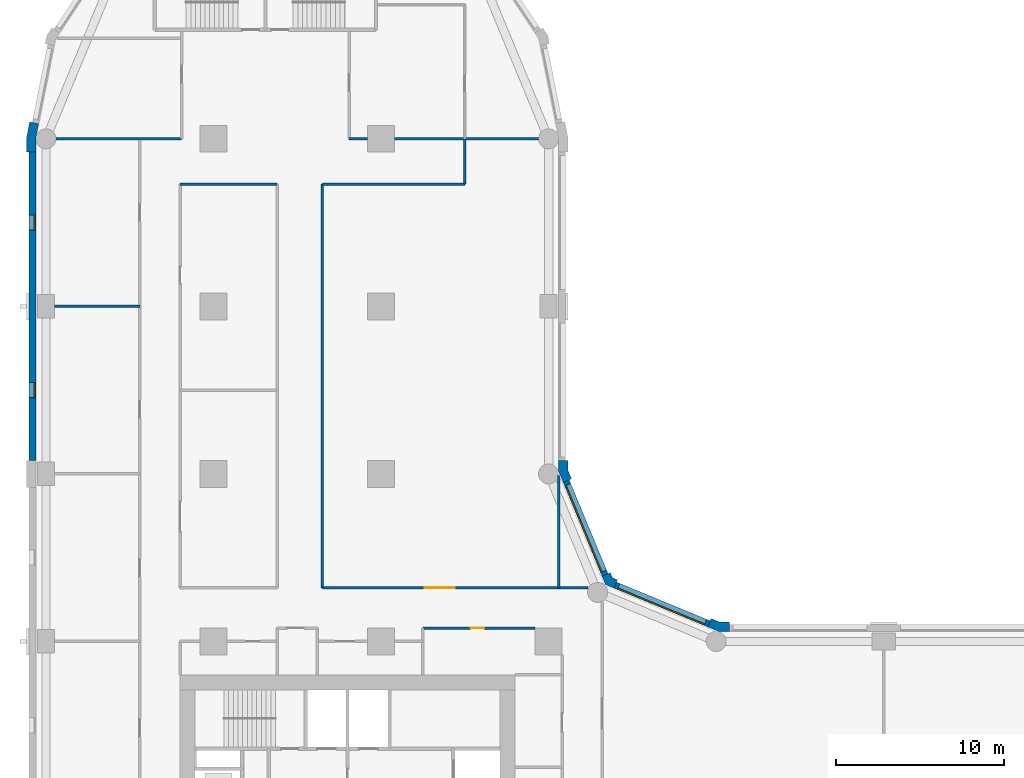
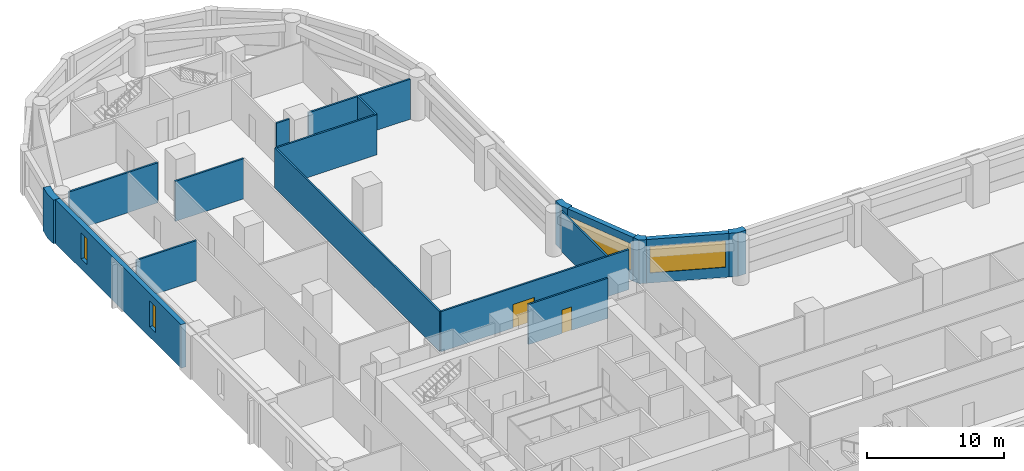
# One storey, part 6 of 11: 18 walls, 4 windows, 2 doors, 6 openings.
"""IFC4 building model written with IfcOpenShell, lengths in metres."""

import ifcopenshell
import ifcopenshell.guid

model = None  # the IFC model being written
_history = None  # IfcOwnerHistory: only IFC2X3 demands one
_inside = {}  # id of a spatial element -> (the spatial element, [elements in it])
_under = {}  # id of a project, library or spatial element -> (it, [spatial elements below it])
_declared = {}  # id of a project -> (the project, [libraries it declares])
_typed = {}  # id of a type object -> (the type object, [elements of that type])
_made_of = {}  # id of a material, layer set ... -> (it, [elements and type objects made of it])


def new_model(schema):
    """Start an empty IFC model of exactly this schema.

    Asked for "IFC4X3", IfcOpenShell would pick the latest addendum, in which some entities
    have other attributes; the version numbers below select the first issue.
    IFC2X3 requires an IfcOwnerHistory on every rooted entity: one is made here for all.
    """
    global model, _history
    if schema == "IFC4X3":
        model = ifcopenshell.file(schema_version=(4, 3, 0, 0))
    else:
        model = ifcopenshell.file(schema=schema)
    _inside.clear()
    _under.clear()
    _declared.clear()
    _typed.clear()
    _made_of.clear()
    _history = None
    if model.schema == "IFC2X3":
        org = make("IfcOrganization", Name="unknown")
        user = make(
            "IfcPersonAndOrganization",
            ThePerson=make("IfcPerson", FamilyName="unknown"),
            TheOrganization=org,
        )
        app = make(
            "IfcApplication",
            ApplicationDeveloper=org,
            Version="unknown",
            ApplicationFullName="unknown",
            ApplicationIdentifier="unknown",
        )
        _history = make(
            "IfcOwnerHistory",
            OwningUser=user,
            OwningApplication=app,
            ChangeAction="ADDED",
            CreationDate=0,
        )
    return model


def make(cls, **values):
    """One entity of the class cls with the attributes given. An attribute that is None is left unset."""
    return model.create_entity(
        cls, **{name: value for name, value in values.items() if value is not None}
    )


def rooted(cls, **values):
    """An entity with a GlobalId (a new one), such as an element, a storey or a relation."""
    return make(cls, GlobalId=ifcopenshell.guid.new(), OwnerHistory=_history, **values)


def si_unit(unit_type, name, prefix=None):
    """IfcSIUnit, for example si_unit("LENGTHUNIT", "METRE", prefix="MILLI")."""
    return make("IfcSIUnit", UnitType=unit_type, Prefix=prefix, Name=name)


def assignment(units):
    """IfcUnitAssignment: the units of a project."""
    return None if units is None else make("IfcUnitAssignment", Units=units)


def point(xyz):
    """IfcCartesianPoint."""
    return None if xyz is None else make("IfcCartesianPoint", Coordinates=xyz)


def direction(xyz):
    """IfcDirection."""
    return None if xyz is None else make("IfcDirection", DirectionRatios=xyz)


def frame(location, z_axis=None, x_axis=None):
    """IfcAxis2Placement3D, a coordinate frame: its origin and axes. An axis left out is left unset."""
    return make(
        "IfcAxis2Placement3D",
        Location=point(location),
        Axis=direction(z_axis),
        RefDirection=direction(x_axis),
    )


def frame_2d(location, x_axis=None):
    """IfcAxis2Placement2D, a coordinate frame in the plane: its origin and x axis."""
    return make(
        "IfcAxis2Placement2D", Location=point(location), RefDirection=direction(x_axis)
    )


def origin():
    """The frame at (0, 0, 0) with its axes left unset."""
    return frame((0.0, 0.0, 0.0))


def place(relative_to, where):
    """IfcLocalPlacement: puts the frame where relative to a parent placement (None: the world)."""
    return make(
        "IfcLocalPlacement", PlacementRelTo=relative_to, RelativePlacement=where
    )


def context(
    kind, dimensions, precision=None, world=None, true_north=None, identifier=None
):
    """IfcGeometricRepresentationContext, for example the 3D "Model" context."""
    return make(
        "IfcGeometricRepresentationContext",
        ContextIdentifier=identifier,
        ContextType=kind,
        CoordinateSpaceDimension=dimensions,
        Precision=precision,
        WorldCoordinateSystem=world,
        TrueNorth=true_north,
    )


def subcontext(parent, identifier, kind, view, scale=None):
    """IfcGeometricRepresentationSubContext, for example "Body" below "Model"."""
    return make(
        "IfcGeometricRepresentationSubContext",
        ContextIdentifier=identifier,
        ContextType=kind,
        ParentContext=parent,
        TargetScale=scale,
        TargetView=view,
    )


def project(units=None, contexts=None):
    """IfcProject with its units and contexts."""
    return rooted(
        "IfcProject",
        Name="project",
        RepresentationContexts=contexts,
        UnitsInContext=assignment(units),
    )


def spatial(cls, under=None, at=None, **own):
    """A site, building, storey or space (cls), placed at a placement, below another one or the project."""
    s = rooted(cls, ObjectPlacement=at, **own)
    if under is not None:
        _under.setdefault(under.id(), (under, []))[1].append(s)
    return s


def polyline(points):
    """IfcPolyline through the points."""
    return make("IfcPolyline", Points=[point(p) for p in points])


def profile(cls, at=None, kind="AREA", **sizes):
    """A parametric profile (cls). Its sizes go by their IFC names, for example OverallWidth=200.0."""
    return make(cls, ProfileType=kind, Position=at, **sizes)


def rectangle(**sizes):
    """IfcRectangleProfileDef."""
    return profile("IfcRectangleProfileDef", **sizes)


def outline(outer, holes=None, kind="AREA"):
    """IfcArbitraryClosedProfileDef: a profile drawn as a closed curve; with holes, ...WithVoids."""
    if holes is None:
        return make("IfcArbitraryClosedProfileDef", ProfileType=kind, OuterCurve=outer)
    return make(
        "IfcArbitraryProfileDefWithVoids",
        ProfileType=kind,
        OuterCurve=outer,
        InnerCurves=holes,
    )


def extrude(swept, where, along, depth):
    """IfcExtrudedAreaSolid: the profile swept, set in the frame where, extruded along a direction by depth."""
    return make(
        "IfcExtrudedAreaSolid",
        SweptArea=swept,
        Position=where,
        ExtrudedDirection=direction(along),
        Depth=depth,
    )


def shape(context_of_items, identifier, shape_type, items):
    """IfcShapeRepresentation: the items that make up one representation, for example the "Body"."""
    return make(
        "IfcShapeRepresentation",
        ContextOfItems=context_of_items,
        RepresentationIdentifier=identifier,
        RepresentationType=shape_type,
        Items=items,
    )


def material(Name=None, Category=None):
    """IfcMaterial."""
    return make("IfcMaterial", Name=Name, Category=Category)


def layer(
    of_material, thickness, ventilated=None, Name=None, Category=None, Priority=None
):
    """IfcMaterialLayer: one layer of a wall or slab, of a material (None: an air gap)."""
    return make(
        "IfcMaterialLayer",
        Material=of_material,
        LayerThickness=thickness,
        IsVentilated=ventilated,
        Name=Name,
        Category=Category,
        Priority=Priority,
    )


def layer_set(layers, Name=None):
    """IfcMaterialLayerSet."""
    return make("IfcMaterialLayerSet", MaterialLayers=layers, LayerSetName=Name)


def made_of(thing, what):
    """Note that an element or type object is made of a material, layer set ...; save() writes the relation."""
    if what is not None:
        _made_of.setdefault(what.id(), (what, []))[1].append(thing)
    return thing


def type_object(cls, material=None, **own):
    """A type object (cls), such as IfcWallType, which elements share."""
    return made_of(rooted(cls, **own), material)


def element(
    cls,
    number,
    at=None,
    inside=None,
    cuts=None,
    type_object=None,
    material=None,
    context=None,
    identifier="Body",
    shape_type=None,
    held_by="IfcProductDefinitionShape",
    body=None,
    shapes=None,
    **own,
):
    """One element of the class cls, such as IfcWall. Its Tag is "e" and its number.

    at: its placement. inside: the storey or other place that contains it. cuts: it is an
    opening in that element (IfcRelVoidsElement). A single representation is given by context,
    identifier, shape_type and body (its items); several are given by shapes. held_by: the class
    of the entity that holds the representations. save() writes the other relations.
    """
    e = rooted(cls, Tag="e%d" % number, ObjectPlacement=at, **own)
    if body is not None:
        shapes = [shape(context, identifier, shape_type, body)]
    if shapes is not None:
        e.Representation = make(held_by, Representations=shapes)
    if inside is not None:
        _inside.setdefault(inside.id(), (inside, []))[1].append(e)
    if cuts is not None:
        rooted(
            "IfcRelVoidsElement", RelatingBuildingElement=cuts, RelatedOpeningElement=e
        )
    if type_object is not None:
        _typed.setdefault(type_object.id(), (type_object, []))[1].append(e)
    return made_of(e, material)


def fill(opening, filler):
    """IfcRelFillsElement: the door or window that sits in an opening."""
    return rooted(
        "IfcRelFillsElement",
        RelatingOpeningElement=opening,
        RelatedBuildingElement=filler,
    )


def aggregate(whole, parts):
    """IfcRelAggregates: a whole, such as a stair, and the parts it consists of."""
    return rooted("IfcRelAggregates", RelatingObject=whole, RelatedObjects=parts)


def save(model, path):
    """Write the relations noted so far, then the file.

    IfcRelAggregates (storeys below a building ...), IfcRelContainedInSpatialStructure (elements
    in a storey), IfcRelDefinesByType, IfcRelAssociatesMaterial and IfcRelDeclares: one each for
    every whole, place, type object, material and project.
    """
    for whole, parts in _under.values():
        aggregate(whole, parts)
    for where, things in _inside.values():
        rooted(
            "IfcRelContainedInSpatialStructure",
            RelatedElements=things,
            RelatingStructure=where,
        )
    for kind, things in _typed.values():
        rooted("IfcRelDefinesByType", RelatedObjects=things, RelatingType=kind)
    for what, things in _made_of.values():
        rooted("IfcRelAssociatesMaterial", RelatedObjects=things, RelatingMaterial=what)
    for by, libraries in _declared.values():
        rooted("IfcRelDeclares", RelatingContext=by, RelatedDefinitions=libraries)
    model.write(path)


model = new_model("IFC4")

# Units and contexts
model_context = context("Model", 3, precision=1e-05, world=origin(), true_north=direction((0.0, 1.0)))
body_context = subcontext(model_context, "Body", "Model", "MODEL_VIEW")
ifc_project = project(units=[si_unit("LENGTHUNIT", "METRE"), si_unit("AREAUNIT", "SQUARE_METRE"), si_unit("VOLUMEUNIT", "CUBIC_METRE"), si_unit("PLANEANGLEUNIT", "RADIAN"), si_unit("MASSUNIT", "GRAM", prefix="KILO")], contexts=[model_context])

# Site, building, storey
site_placement = place(None, origin())
site = spatial("IfcSite", under=ifc_project, at=site_placement, CompositionType="ELEMENT")
building_placement = place(site_placement, origin())
building = spatial("IfcBuilding", under=site, at=building_placement, Name="Qaws Garden Tower", CompositionType="ELEMENT")
storey_placement = place(building_placement, frame((0.0, 0.0, 27.60009765625)))
storey = spatial("IfcBuildingStorey", under=building, at=storey_placement, Name="L06", CompositionType="ELEMENT", Elevation=27.60009765625)

# Wall, opening, window
ifc_material_1 = material(Name="Clay facing brick masonry", Category="masonry")
ifc_layer_1 = layer(ifc_material_1, 0.39990234375)
ifc_layer_set_1 = layer_set([ifc_layer_1], Name="Clay facing brick masonry")
wall_type_1 = type_object("IfcWallType", Name="Brick infill wall 400", PredefinedType="SOLIDWALL", material=ifc_layer_set_1)
wall_1_placement = place(storey_placement, frame((39.56689453125, 31.04541015625, 0.0), z_axis=(0.0, 0.0, 1.0), x_axis=(-0.923891000409, 0.382655745237, 0.0)))
wall_1 = element("IfcWall", 1, at=wall_1_placement, inside=storey, type_object=wall_type_1, Name="E-L06-infill-11", PredefinedType="SOLIDWALL", context=body_context, shape_type="SweptSolid", body=[
    extrude(rectangle(XDim=6.053466796875, YDim=0.39990234375, at=frame_2d((3.02685546875, 0.0))), origin(), (0.0, 0.0, 1.0), 3.89990234375),
])
opening_1_placement = place(wall_1_placement, frame((0.226806640625, 0.0, 0.89990234375)))
opening_1 = element("IfcOpeningElement", 2, at=opening_1_placement, cuts=wall_1, Name="Opening W04", PredefinedType="OPENING", context=body_context, shape_type="SweptSolid", body=[
    extrude(rectangle(XDim=5.60009765625, YDim=2.35009765625, at=frame_2d((2.800048828125, 1.175048828125))), frame((0.0, 0.2099609375, 0.0), z_axis=(0.0, -1.0, 0.0), x_axis=(1.0, 0.0, 0.0)), (0.0, 0.0, 1.0), 0.419921875),
])
ifc_material_2 = material(Name="Aluminium framed window, clear glazing", Category="aluminium")
window_type_1 = type_object("IfcWindowType", Name="Ribbon window 5600 x 2350", PartitioningType="DOUBLE_PANEL_VERTICAL", PredefinedType="WINDOW", material=ifc_material_2)
window_1_placement = place(opening_1_placement, origin())
window_1 = element("IfcWindow", 3, at=window_1_placement, inside=storey, type_object=window_type_1, Name="E-L06-window-11-0", OverallHeight=2.35009765625, OverallWidth=5.60009765625, PartitioningType="SINGLE_PANEL", PredefinedType="WINDOW", context=body_context, shape_type="SweptSolid", body=[
    extrude(rectangle(XDim=5.60009765625, YDim=2.35009765625, at=frame_2d((2.800048828125, 1.175048828125))), frame((0.0, 0.159912109375, 0.0), z_axis=(0.0, -1.0, 0.0), x_axis=(1.0, 0.0, 0.0)), (0.0, 0.0, 1.0), 0.06005859375),
])
fill(opening_1, window_1)

wall_2_placement = place(storey_placement, frame((33.36181640625, 33.97412109375, 0.0), z_axis=(0.0, 0.0, 1.0), x_axis=(-0.382655745237, 0.923891000409, 0.0)))
wall_2 = element("IfcWall", 4, at=wall_2_placement, inside=storey, type_object=wall_type_1, Name="E-L06-infill-12", PredefinedType="SOLIDWALL", context=body_context, shape_type="SweptSolid", body=[
    extrude(rectangle(XDim=6.053466796875, YDim=0.39990234375, at=frame_2d((3.02685546875, 0.0))), origin(), (0.0, 0.0, 1.0), 3.89990234375),
])
opening_2_placement = place(wall_2_placement, frame((0.226806640625, 0.0, 0.89990234375)))
opening_2 = element("IfcOpeningElement", 5, at=opening_2_placement, cuts=wall_2, Name="Opening W04", PredefinedType="OPENING", context=body_context, shape_type="SweptSolid", body=[
    extrude(rectangle(XDim=5.60009765625, YDim=2.35009765625, at=frame_2d((2.800048828125, 1.175048828125))), frame((0.0, 0.2099609375, 0.0), z_axis=(0.0, -1.0, 0.0), x_axis=(1.0, 0.0, 0.0)), (0.0, 0.0, 1.0), 0.419921875),
])
window_2_placement = place(opening_2_placement, origin())
window_2 = element("IfcWindow", 6, at=window_2_placement, inside=storey, type_object=window_type_1, Name="E-L06-window-12-0", OverallHeight=2.35009765625, OverallWidth=5.60009765625, PartitioningType="SINGLE_PANEL", PredefinedType="WINDOW", context=body_context, shape_type="SweptSolid", body=[
    extrude(rectangle(XDim=5.60009765625, YDim=2.35009765625, at=frame_2d((2.800048828125, 1.175048828125))), frame((0.0, 0.159912109375, 0.0), z_axis=(0.0, -1.0, 0.0), x_axis=(1.0, 0.0, 0.0)), (0.0, 0.0, 1.0), 0.06005859375),
])
fill(opening_2, window_2)

# Wall, openings, windows
wall_3_placement = place(storey_placement, frame((-0.800048828125, 59.199951171875, 0.0), z_axis=(0.0, 0.0, 1.0), x_axis=(0.0, -1.0, 0.0)))
wall_3 = element("IfcWall", 7, at=wall_3_placement, inside=storey, type_object=wall_type_1, Name="E-L06-infill-23", PredefinedType="SOLIDWALL", context=body_context, shape_type="SweptSolid", body=[
    extrude(rectangle(XDim=18.39990234375, YDim=0.39990234375, at=frame_2d((9.199951171875, 0.0))), origin(), (0.0, 0.0, 1.0), 3.89990234375),
])
opening_3_placement = place(wall_3_placement, frame((3.75, 0.0, 0.89990234375)))
opening_3 = element("IfcOpeningElement", 8, at=opening_3_placement, cuts=wall_3, Name="Opening W09", PredefinedType="OPENING", context=body_context, shape_type="SweptSolid", body=[
    extrude(rectangle(XDim=0.89990234375, YDim=2.35009765625, at=frame_2d((0.449951171875, 1.175048828125))), frame((0.0, 0.2099609375, 0.0), z_axis=(0.0, -1.0, 0.0), x_axis=(1.0, 0.0, 0.0)), (0.0, 0.0, 1.0), 0.419921875),
])
opening_4_placement = place(wall_3_placement, frame((13.75, 0.0, 0.89990234375)))
opening_4 = element("IfcOpeningElement", 9, at=opening_4_placement, cuts=wall_3, Name="Opening W09", PredefinedType="OPENING", context=body_context, shape_type="SweptSolid", body=[
    extrude(rectangle(XDim=0.89990234375, YDim=2.35009765625, at=frame_2d((0.449951171875, 1.175048828125))), frame((0.0, 0.2099609375, 0.0), z_axis=(0.0, -1.0, 0.0), x_axis=(1.0, 0.0, 0.0)), (0.0, 0.0, 1.0), 0.419921875),
])
ifc_material_3 = material(Name="Aluminium framed window, clear glazing", Category="aluminium")
window_type_2 = type_object("IfcWindowType", Name="Slit window 900 x 2350", PartitioningType="SINGLE_PANEL", PredefinedType="WINDOW", material=ifc_material_3)
window_3_placement = place(opening_3_placement, origin())
window_3 = element("IfcWindow", 10, at=window_3_placement, inside=storey, type_object=window_type_2, Name="E-L06-window-23-0", OverallHeight=2.35009765625, OverallWidth=0.89990234375, PartitioningType="SINGLE_PANEL", PredefinedType="WINDOW", context=body_context, shape_type="SweptSolid", body=[
    extrude(rectangle(XDim=0.89990234375, YDim=2.35009765625, at=frame_2d((0.449951171875, 1.175048828125))), frame((0.0, 0.159912109375, 0.0), z_axis=(0.0, -1.0, 0.0), x_axis=(1.0, 0.0, 0.0)), (0.0, 0.0, 1.0), 0.06005859375),
])
fill(opening_3, window_3)
window_4_placement = place(opening_4_placement, origin())
window_4 = element("IfcWindow", 11, at=window_4_placement, inside=storey, type_object=window_type_2, Name="E-L06-window-24-0", OverallHeight=2.35009765625, OverallWidth=0.89990234375, PartitioningType="SINGLE_PANEL", PredefinedType="WINDOW", context=body_context, shape_type="SweptSolid", body=[
    extrude(rectangle(XDim=0.89990234375, YDim=2.35009765625, at=frame_2d((0.449951171875, 1.175048828125))), frame((0.0, 0.159912109375, 0.0), z_axis=(0.0, -1.0, 0.0), x_axis=(1.0, 0.0, 0.0)), (0.0, 0.0, 1.0), 0.06005859375),
])
fill(opening_4, window_4)

# Walls
ifc_material_4 = material(Name="Clay facing brick masonry", Category="masonry")
ifc_layer_2 = layer(ifc_material_4, 0.550048828125)
ifc_layer_set_2 = layer_set([ifc_layer_2], Name="Clay facing brick masonry")
wall_type_2 = type_object("IfcWallType", Name="Brick pier 550 x 1600", PredefinedType="SOLIDWALL", material=ifc_layer_set_2)
placement = place(storey_placement, origin())
element("IfcWall", 12, at=placement, inside=storey, type_object=wall_type_2, Name="E-L06-pier-11", PredefinedType="SOLIDWALL", context=body_context, shape_type="SweptSolid", body=[
    extrude(outline(polyline([(40.800048828125, 31.0), (40.800048828125, 31.14990234375), (40.228759765625, 31.14990234375), (39.700927734375, 31.36865234375), (39.6435546875, 31.22998046875), (39.490478515625, 30.860595703125), (40.119384765625, 30.60009765625), (40.800048828125, 30.60009765625), (40.800048828125, 31.0)])), origin(), (0.0, 0.0, 1.0), 3.89990234375),
])
element("IfcWall", 13, at=placement, inside=storey, type_object=wall_type_2, Name="E-L06-pier-12", PredefinedType="SOLIDWALL", context=body_context, shape_type="SweptSolid", body=[
    extrude(outline(polyline([(34.05078125, 33.546630859375), (34.108154296875, 33.685302734375), (33.80908203125, 33.80908203125), (33.685302734375, 34.108154296875), (33.546630859375, 34.05078125), (33.177001953125, 33.897705078125), (33.38818359375, 33.38818359375), (33.897705078125, 33.177001953125), (34.05078125, 33.546630859375)])), origin(), (0.0, 0.0, 1.0), 3.89990234375),
])
element("IfcWall", 14, at=placement, inside=storey, type_object=wall_type_2, Name="E-L06-pier-13", PredefinedType="SOLIDWALL", context=body_context, shape_type="SweptSolid", body=[
    extrude(outline(polyline([(31.22998046875, 39.6435546875), (31.36865234375, 39.700927734375), (31.14990234375, 40.228759765625), (31.14990234375, 40.800048828125), (31.0, 40.800048828125), (30.60009765625, 40.800048828125), (30.60009765625, 40.119384765625), (30.860595703125, 39.490478515625), (31.22998046875, 39.6435546875)])), origin(), (0.0, 0.0, 1.0), 3.89990234375),
])
element("IfcWall", 15, at=placement, inside=storey, type_object=wall_type_2, Name="E-L06-pier-23", PredefinedType="SOLIDWALL", context=body_context, shape_type="SweptSolid", body=[
    extrude(outline(polyline([(-0.82470703125, 60.979736328125), (-0.971923828125, 61.009033203125), (-1.14990234375, 60.11328125), (-1.14990234375, 59.199951171875), (-1.0, 59.199951171875), (-0.60009765625, 59.199951171875), (-0.60009765625, 60.05908203125), (-0.432373046875, 60.901611328125), (-0.82470703125, 60.979736328125)])), origin(), (0.0, 0.0, 1.0), 3.89990234375),
])
ifc_material_5 = material(Name="Gypsum board partition")
ifc_layer_3 = layer(ifc_material_5, 0.14990234375)
ifc_layer_set_3 = layer_set([ifc_layer_3], Name="Gypsum board partition")
wall_type_3 = type_object("IfcWallType", Name="PARTITION 150 EI 60", PredefinedType="PARTITIONING", material=ifc_layer_set_3)
wall_8_placement = place(storey_placement, frame((16.5, 33.199951171875, 0.0), z_axis=(0.0, 0.0, 1.0), x_axis=(0.0, 1.0, 0.0)))
element("IfcWall", 16, at=wall_8_placement, inside=storey, type_object=wall_type_3, Name="O-L06-wall-013", PredefinedType="PARTITIONING", context=body_context, shape_type="SweptSolid", body=[
    extrude(rectangle(XDim=24.10009765625, YDim=0.14990234375, at=frame_2d((12.050048828125, 0.0))), origin(), (0.0, 0.0, 1.0), 3.579833984375),
])
wall_9_placement = place(storey_placement, frame((25.0, 57.300048828125, 0.0), z_axis=(0.0, 0.0, 1.0), x_axis=(0.0, 1.0, 0.0)))
element("IfcWall", 17, at=wall_9_placement, inside=storey, type_object=wall_type_3, Name="O-L06-wall-017", PredefinedType="PARTITIONING", context=body_context, shape_type="SweptSolid", body=[
    extrude(rectangle(XDim=2.699951171875, YDim=0.14990234375, at=frame_2d((1.35009765625, 0.0))), origin(), (0.0, 0.0, 1.0), 3.579833984375),
])
wall_10_placement = place(storey_placement, frame((30.60009765625, 33.199951171875, 0.0), z_axis=(0.0, 0.0, 1.0), x_axis=(0.0, 1.0, 0.0)))
element("IfcWall", 18, at=wall_10_placement, inside=storey, type_object=wall_type_3, Name="O-L06-wall-021", PredefinedType="PARTITIONING", context=body_context, shape_type="SweptSolid", body=[
    extrude(rectangle(XDim=6.698974609375, YDim=0.14990234375, at=frame_2d((3.349609375, 0.0))), origin(), (0.0, 0.0, 1.0), 3.579833984375),
])

# Wall, opening, door
wall_11_placement = place(storey_placement, frame((22.5, 30.800048828125, 0.0), z_axis=(0.0, 0.0, 1.0), x_axis=(1.0, 0.0, 0.0)))
wall_11 = element("IfcWall", 19, at=wall_11_placement, inside=storey, type_object=wall_type_3, Name="O-L06-wall-057", PredefinedType="PARTITIONING", context=body_context, shape_type="SweptSolid", body=[
    extrude(rectangle(XDim=6.699951171875, YDim=0.14990234375, at=frame_2d((3.35009765625, 0.0))), origin(), (0.0, 0.0, 1.0), 3.579833984375),
])
opening_5_placement = place(wall_11_placement, frame((2.85009765625, 0.0, 0.0)))
opening_5 = element("IfcOpeningElement", 20, at=opening_5_placement, cuts=wall_11, Name="Opening A216", PredefinedType="OPENING", context=body_context, shape_type="SweptSolid", body=[
    extrude(rectangle(XDim=0.800048828125, YDim=2.10009765625, at=frame_2d((0.39990234375, 1.050048828125))), frame((0.0, 0.0849609375, 0.0), z_axis=(0.0, -1.0, 0.0), x_axis=(1.0, 0.0, 0.0)), (0.0, 0.0, 1.0), 0.169921875),
])
ifc_material_6 = material(Name="Timber door leaf", Category="wood")
door_type_1 = type_object("IfcDoorType", Name="STORE DOOR 800 X 2100", OperationType="SINGLE_SWING_LEFT", PredefinedType="DOOR", material=ifc_material_6)
door_1_placement = place(opening_5_placement, frame((0.800048828125, 0.0, 0.0), z_axis=(0.0, 0.0, 1.0), x_axis=(-1.0, 0.0, 0.0)))
door_1 = element("IfcDoor", 21, at=door_1_placement, inside=storey, type_object=door_type_1, Name="O-L06-door-016", OperationType="SINGLE_SWING_LEFT", OverallHeight=2.10009765625, OverallWidth=0.800048828125, PredefinedType="DOOR", context=body_context, shape_type="SweptSolid", body=[
    extrude(rectangle(XDim=0.800048828125, YDim=2.10009765625, at=frame_2d((0.39990234375, 1.050048828125))), frame((0.0, 0.02490234375, 0.0), z_axis=(0.0, -1.0, 0.0), x_axis=(1.0, 0.0, 0.0)), (0.0, 0.0, 1.0), 0.050048828125),
])
fill(opening_5, door_1)

wall_12_placement = place(storey_placement, frame((16.5, 33.199951171875, 0.0), z_axis=(0.0, 0.0, 1.0), x_axis=(1.0, 0.0, 0.0)))
wall_12 = element("IfcWall", 22, at=wall_12_placement, inside=storey, type_object=wall_type_3, Name="O-L06-wall-059", PredefinedType="PARTITIONING", context=body_context, shape_type="SweptSolid", body=[
    extrude(rectangle(XDim=15.862060546875, YDim=0.14990234375, at=frame_2d((7.93115234375, 0.0))), origin(), (0.0, 0.0, 1.0), 3.579833984375),
])
opening_6_placement = place(wall_12_placement, frame((6.10009765625, 0.0, 0.0)))
opening_6 = element("IfcOpeningElement", 23, at=opening_6_placement, cuts=wall_12, Name="Opening A219", PredefinedType="OPENING", context=body_context, shape_type="SweptSolid", body=[
    extrude(rectangle(XDim=1.800048828125, YDim=2.10009765625, at=frame_2d((0.89990234375, 1.050048828125))), frame((0.0, 0.0849609375, 0.0), z_axis=(0.0, -1.0, 0.0), x_axis=(1.0, 0.0, 0.0)), (0.0, 0.0, 1.0), 0.169921875),
])
ifc_material_7 = material(Name="Timber door leaf", Category="wood")
door_type_2 = type_object("IfcDoorType", Name="DOUBLE DOOR 1800 X 2100", OperationType="DOUBLE_DOOR_SINGLE_SWING", PredefinedType="DOOR", material=ifc_material_7)
door_2_placement = place(opening_6_placement, origin())
door_2 = element("IfcDoor", 24, at=door_2_placement, inside=storey, type_object=door_type_2, Name="O-L06-door-019", OperationType="DOUBLE_DOOR_SINGLE_SWING", OverallHeight=2.10009765625, OverallWidth=1.800048828125, PredefinedType="DOOR", context=body_context, shape_type="SweptSolid", body=[
    extrude(rectangle(XDim=1.800048828125, YDim=2.10009765625, at=frame_2d((0.89990234375, 1.050048828125))), frame((0.0, 0.02490234375, 0.0), z_axis=(0.0, -1.0, 0.0), x_axis=(1.0, 0.0, 0.0)), (0.0, 0.0, 1.0), 0.050048828125),
])
fill(opening_6, door_2)

# Walls
wall_13_placement = place(storey_placement, frame((0.5, 50.0, 0.0), z_axis=(0.0, 0.0, 1.0), x_axis=(1.0, 0.0, 0.0)))
element("IfcWall", 25, at=wall_13_placement, inside=storey, type_object=wall_type_3, Name="O-L06-wall-062", PredefinedType="PARTITIONING", context=body_context, shape_type="SweptSolid", body=[
    extrude(rectangle(XDim=5.10009765625, YDim=0.14990234375, at=frame_2d((2.550048828125, 0.0))), origin(), (0.0, 0.0, 1.0), 3.579833984375),
])
wall_14_placement = place(storey_placement, frame((8.0, 57.300048828125, 0.0), z_axis=(0.0, 0.0, 1.0), x_axis=(1.0, 0.0, 0.0)))
element("IfcWall", 26, at=wall_14_placement, inside=storey, type_object=wall_type_3, Name="O-L06-wall-063", PredefinedType="PARTITIONING", context=body_context, shape_type="SweptSolid", body=[
    extrude(rectangle(XDim=5.800048828125, YDim=0.14990234375, at=frame_2d((2.89990234375, 0.0))), origin(), (0.0, 0.0, 1.0), 3.579833984375),
])
wall_15_placement = place(storey_placement, frame((16.5, 57.300048828125, 0.0), z_axis=(0.0, 0.0, 1.0), x_axis=(1.0, 0.0, 0.0)))
element("IfcWall", 27, at=wall_15_placement, inside=storey, type_object=wall_type_3, Name="O-L06-wall-064", PredefinedType="PARTITIONING", context=body_context, shape_type="SweptSolid", body=[
    extrude(rectangle(XDim=8.5, YDim=0.14990234375, at=frame_2d((4.25, 0.0))), origin(), (0.0, 0.0, 1.0), 3.579833984375),
])
wall_16_placement = place(storey_placement, frame((0.60009765625, 60.0, 0.0), z_axis=(0.0, 0.0, 1.0), x_axis=(1.0, 0.0, 0.0)))
element("IfcWall", 28, at=wall_16_placement, inside=storey, type_object=wall_type_3, Name="O-L06-wall-065", PredefinedType="PARTITIONING", context=body_context, shape_type="SweptSolid", body=[
    extrude(rectangle(XDim=7.5, YDim=0.14990234375, at=frame_2d((3.75, 0.0))), origin(), (0.0, 0.0, 1.0), 3.579833984375),
])
wall_17_placement = place(storey_placement, frame((18.10009765625, 60.0, 0.0), z_axis=(0.0, 0.0, 1.0), x_axis=(1.0, 0.0, 0.0)))
element("IfcWall", 29, at=wall_17_placement, inside=storey, type_object=wall_type_3, Name="O-L06-wall-066", PredefinedType="PARTITIONING", context=body_context, shape_type="SweptSolid", body=[
    extrude(rectangle(XDim=1.099853515625, YDim=0.14990234375, at=frame_2d((0.5498046875, 0.0))), origin(), (0.0, 0.0, 1.0), 3.579833984375),
])
wall_18_placement = place(storey_placement, frame((20.800048828125, 60.0, 0.0), z_axis=(0.0, 0.0, 1.0), x_axis=(1.0, 0.0, 0.0)))
element("IfcWall", 30, at=wall_18_placement, inside=storey, type_object=wall_type_3, Name="O-L06-wall-067", PredefinedType="PARTITIONING", context=body_context, shape_type="SweptSolid", body=[
    extrude(rectangle(XDim=8.599853515625, YDim=0.14990234375, at=frame_2d((4.2998046875, 0.0))), origin(), (0.0, 0.0, 1.0), 3.579833984375),
])

save(model, "model.ifc")
